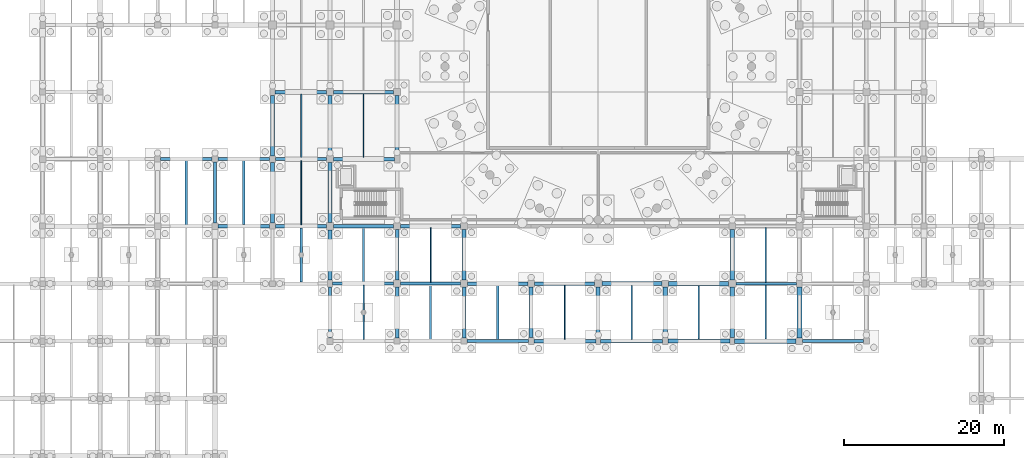
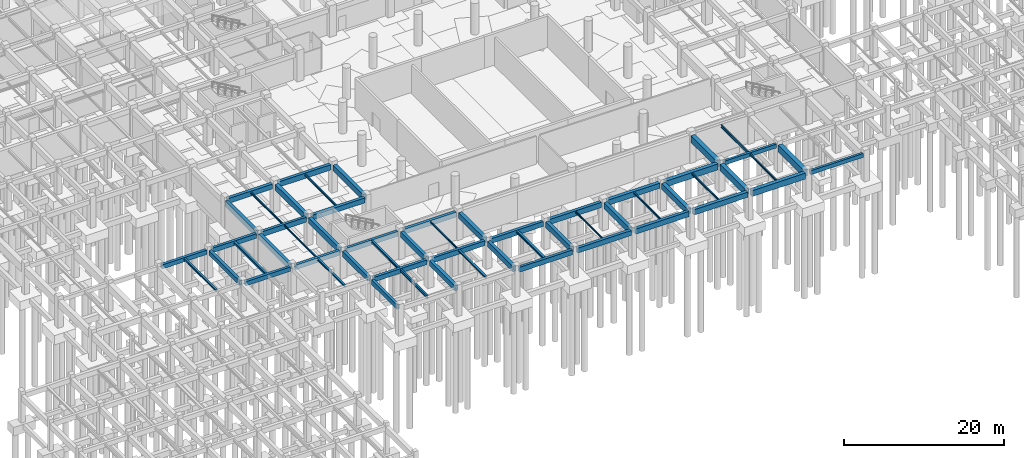
# One storey, part 20 of 44: 57 beams.
"""IFC4 building model written with IfcOpenShell, lengths in metres."""

from ifc_helpers import new_model, si_unit, direction, frame, origin, origin_2d, place, context, subcontext, project, spatial, rectangle, i_section, extrude, material, material_profile, profile_set, type_object, element, save


model = new_model("IFC4")

# Units and contexts
model_context = context("Model", 3, precision=1e-05, world=origin(), true_north=direction((0.0, 1.0)))
body_context = subcontext(model_context, "Body", "Model", "MODEL_VIEW")
ifc_project = project(units=[si_unit("LENGTHUNIT", "METRE"), si_unit("AREAUNIT", "SQUARE_METRE"), si_unit("VOLUMEUNIT", "CUBIC_METRE"), si_unit("PLANEANGLEUNIT", "RADIAN"), si_unit("MASSUNIT", "GRAM", prefix="KILO")], contexts=[model_context])

# Site, building, storey
site_placement = place(None, origin())
site = spatial("IfcSite", under=ifc_project, at=site_placement, CompositionType="ELEMENT")
building_placement = place(site_placement, origin())
building = spatial("IfcBuilding", under=site, at=building_placement, Name="Korsvaeld Concert Hall", CompositionType="ELEMENT")
storey_placement = place(building_placement, frame((0.0, 0.0, -4.800048828125)))
storey = spatial("IfcBuildingStorey", under=building, at=storey_placement, Name="B1", CompositionType="ELEMENT", Elevation=-4.800048828125)

# Beams
ifc_material_1 = material(Name="Concrete C35/45", Category="concrete")
ifc_material_profile_1 = material_profile(ifc_material_1, rectangle(XDim=0.35009765625, YDim=0.60009765625, at=origin_2d()), Name="RC 350x600")
ifc_profile_set_1 = profile_set([ifc_material_profile_1], Name="Concrete C35/45")
beam_type_1 = type_object("IfcBeamType", Name="BM-RC-350x600", PredefinedType="T_BEAM", material=ifc_profile_set_1)
beam_1_placement = place(storey_placement, frame((109.60009765625, 28.800048828125, 3.949951171875), z_axis=(1.0, 0.0, 0.0), x_axis=(0.0, 1.0, 0.0)))
element("IfcBeam", 1, at=beam_1_placement, inside=storey, type_object=beam_type_1, Name="Primary girder 15-16/E B1", PredefinedType="T_BEAM", context=body_context, shape_type="SweptSolid", body=[
    extrude(rectangle(XDim=0.35009765625, YDim=0.60009765625, at=origin_2d()), origin(), (0.0, 0.0, 1.0), 7.625),
])
beam_2_placement = place(storey_placement, frame((101.25, 36.0, 3.949951171875), z_axis=(1.0, 0.0, 0.0), x_axis=(0.0, 1.0, 0.0)))
element("IfcBeam", 2, at=beam_2_placement, inside=storey, type_object=beam_type_1, Name="Primary girder 14-15/F B1", PredefinedType="T_BEAM", context=body_context, shape_type="SweptSolid", body=[
    extrude(rectangle(XDim=0.35009765625, YDim=0.60009765625, at=origin_2d()), origin(), (0.0, 0.0, 1.0), 7.60009765625),
])
ifc_material_profile_2 = material_profile(ifc_material_1, rectangle(XDim=0.39990234375, YDim=0.64990234375, at=origin_2d()), Name="RC 400x650")
ifc_profile_set_2 = profile_set([ifc_material_profile_2], Name="Concrete C35/45")
beam_type_2 = type_object("IfcBeamType", Name="BM-RC-400x650", PredefinedType="T_BEAM", material=ifc_profile_set_2)
beam_3_placement = place(storey_placement, frame((36.39990234375, 43.199951171875, 3.925048828125), z_axis=(1.0, 0.0, 0.0), x_axis=(0.0, 1.0, 0.0)))
element("IfcBeam", 3, at=beam_3_placement, inside=storey, type_object=beam_type_2, Name="Primary girder 6-7/G B1", PredefinedType="T_BEAM", context=body_context, shape_type="SweptSolid", body=[
    extrude(rectangle(XDim=0.39990234375, YDim=0.64990234375, at=origin_2d()), origin(), (0.0, 0.0, 1.0), 6.425048828125),
])
beam_4_placement = place(storey_placement, frame((29.175048828125, 51.60009765625, 3.925048828125), z_axis=(1.0, 0.0, 0.0), x_axis=(0.0, 1.0, 0.0)))
element("IfcBeam", 4, at=beam_4_placement, inside=storey, type_object=beam_type_2, Name="Primary girder 5-6/H B1", PredefinedType="T_BEAM", context=body_context, shape_type="SweptSolid", body=[
    extrude(rectangle(XDim=0.39990234375, YDim=0.64990234375, at=origin_2d()), origin(), (0.0, 0.0, 1.0), 6.449951171875),
])
ifc_material_profile_3 = material_profile(ifc_material_1, rectangle(XDim=0.39990234375, YDim=0.699951171875, at=origin_2d()), Name="RC 400x700")
ifc_profile_set_3 = profile_set([ifc_material_profile_3], Name="Concrete C35/45")
beam_type_3 = type_object("IfcBeamType", Name="BM-RC-400x700", PredefinedType="T_BEAM", material=ifc_profile_set_3)
beam_5_placement = place(storey_placement, frame((50.699951171875, 36.0, 3.900146484375), z_axis=(1.0, 0.0, 0.0), x_axis=(0.0, 1.0, 0.0)))
element("IfcBeam", 5, at=beam_5_placement, inside=storey, type_object=beam_type_3, Name="Primary girder 8-9/F B1", PredefinedType="T_BEAM", context=body_context, shape_type="SweptSolid", body=[
    extrude(rectangle(XDim=0.39990234375, YDim=0.699951171875, at=origin_2d()), origin(), (0.0, 0.0, 1.0), 7.650146484375),
])
beam_6_placement = place(storey_placement, frame((43.574951171875, 43.199951171875, 3.900146484375), z_axis=(1.0, 0.0, 0.0), x_axis=(0.0, 1.0, 0.0)))
element("IfcBeam", 6, at=beam_6_placement, inside=storey, type_object=beam_type_3, Name="Primary girder 7-8/G B1", PredefinedType="T_BEAM", context=body_context, shape_type="SweptSolid", body=[
    extrude(rectangle(XDim=0.39990234375, YDim=0.699951171875, at=origin_2d()), origin(), (0.0, 0.0, 1.0), 6.375),
])
beam_7_placement = place(storey_placement, frame((36.375, 51.60009765625, 3.900146484375), z_axis=(1.0, 0.0, 0.0), x_axis=(0.0, 1.0, 0.0)))
element("IfcBeam", 7, at=beam_7_placement, inside=storey, type_object=beam_type_3, Name="Primary girder 6-7/H B1", PredefinedType="T_BEAM", context=body_context, shape_type="SweptSolid", body=[
    extrude(rectangle(XDim=0.39990234375, YDim=0.699951171875, at=origin_2d()), origin(), (0.0, 0.0, 1.0), 6.425048828125),
])
beam_8_placement = place(storey_placement, frame((36.0, 43.60009765625, 3.900146484375), z_axis=(0.0, 1.0, 0.0), x_axis=(-1.0, 0.0, 0.0)))
element("IfcBeam", 8, at=beam_8_placement, inside=storey, type_object=beam_type_3, Name="Primary girder 6/G-H B1", PredefinedType="T_BEAM", context=body_context, shape_type="SweptSolid", body=[
    extrude(rectangle(XDim=0.39990234375, YDim=0.699951171875, at=origin_2d()), origin(), (0.0, 0.0, 1.0), 7.625),
])
beam_9_placement = place(storey_placement, frame((50.39990234375, 29.199951171875, 3.900146484375), z_axis=(0.0, 1.0, 0.0), x_axis=(-1.0, 0.0, 0.0)))
element("IfcBeam", 9, at=beam_9_placement, inside=storey, type_object=beam_type_3, Name="Primary girder 8/E-F B1", PredefinedType="T_BEAM", context=body_context, shape_type="SweptSolid", body=[
    extrude(rectangle(XDim=0.39990234375, YDim=0.699951171875, at=origin_2d()), origin(), (0.0, 0.0, 1.0), 6.35009765625),
])
ifc_material_profile_4 = material_profile(ifc_material_1, rectangle(XDim=0.39990234375, YDim=0.75, at=origin_2d()), Name="RC 400x750")
ifc_profile_set_4 = profile_set([ifc_material_profile_4], Name="Concrete C35/45")
beam_type_4 = type_object("IfcBeamType", Name="BM-RC-400x750", PredefinedType="T_BEAM", material=ifc_profile_set_4)
beam_10_placement = place(storey_placement, frame((67.574951171875, 28.800048828125, 3.875), z_axis=(1.0, 0.0, 0.0), x_axis=(0.0, 1.0, 0.0)))
element("IfcBeam", 10, at=beam_10_placement, inside=storey, type_object=beam_type_4, Name="Primary girder 10-11/E B1", PredefinedType="T_BEAM", context=body_context, shape_type="SweptSolid", body=[
    extrude(rectangle(XDim=0.39990234375, YDim=0.75, at=origin_2d()), origin(), (0.0, 0.0, 1.0), 7.675048828125),
])
beam_11_placement = place(storey_placement, frame((59.25, 36.0, 3.875), z_axis=(1.0, 0.0, 0.0), x_axis=(0.0, 1.0, 0.0)))
element("IfcBeam", 11, at=beam_11_placement, inside=storey, type_object=beam_type_4, Name="Primary girder 9-10/F B1", PredefinedType="T_BEAM", context=body_context, shape_type="SweptSolid", body=[
    extrude(rectangle(XDim=0.39990234375, YDim=0.75, at=origin_2d()), origin(), (0.0, 0.0, 1.0), 7.5),
])
beam_12_placement = place(storey_placement, frame((50.85009765625, 43.199951171875, 3.875), z_axis=(1.0, 0.0, 0.0), x_axis=(0.0, 1.0, 0.0)))
element("IfcBeam", 12, at=beam_12_placement, inside=storey, type_object=beam_type_4, Name="Primary girder 8-9/G B1", PredefinedType="T_BEAM", context=body_context, shape_type="SweptSolid", body=[
    extrude(rectangle(XDim=0.39990234375, YDim=0.75, at=origin_2d()), origin(), (0.0, 0.0, 1.0), 7.52490234375),
])
beam_13_placement = place(storey_placement, frame((43.60009765625, 51.60009765625, 3.875), z_axis=(1.0, 0.0, 0.0), x_axis=(0.0, 1.0, 0.0)))
element("IfcBeam", 13, at=beam_13_placement, inside=storey, type_object=beam_type_4, Name="Primary girder 7-8/H B1", PredefinedType="T_BEAM", context=body_context, shape_type="SweptSolid", body=[
    extrude(rectangle(XDim=0.39990234375, YDim=0.75, at=origin_2d()), origin(), (0.0, 0.0, 1.0), 6.375),
])
ifc_material_profile_5 = material_profile(ifc_material_1, rectangle(XDim=0.449951171875, YDim=0.75, at=origin_2d()), Name="RC 450x750")
ifc_profile_set_5 = profile_set([ifc_material_profile_5], Name="Concrete C35/45")
beam_type_5 = type_object("IfcBeamType", Name="BM-RC-450x750", PredefinedType="T_BEAM", material=ifc_profile_set_5)
beam_14_placement = place(storey_placement, frame((75.949951171875, 28.800048828125, 3.875), z_axis=(1.0, 0.0, 0.0), x_axis=(0.0, 1.0, 0.0)))
element("IfcBeam", 14, at=beam_14_placement, inside=storey, type_object=beam_type_5, Name="Primary girder 11-12/E B1", PredefinedType="T_BEAM", context=body_context, shape_type="SweptSolid", body=[
    extrude(rectangle(XDim=0.449951171875, YDim=0.75, at=origin_2d()), origin(), (0.0, 0.0, 1.0), 7.75),
])
beam_15_placement = place(storey_placement, frame((67.64990234375, 36.0, 3.875), z_axis=(1.0, 0.0, 0.0), x_axis=(0.0, 1.0, 0.0)))
element("IfcBeam", 15, at=beam_15_placement, inside=storey, type_object=beam_type_5, Name="Primary girder 10-11/F B1", PredefinedType="T_BEAM", context=body_context, shape_type="SweptSolid", body=[
    extrude(rectangle(XDim=0.449951171875, YDim=0.75, at=origin_2d()), origin(), (0.0, 0.0, 1.0), 7.525146484375),
])
beam_16_placement = place(storey_placement, frame((59.22509765625, 43.199951171875, 3.875), z_axis=(1.0, 0.0, 0.0), x_axis=(0.0, 1.0, 0.0)))
element("IfcBeam", 16, at=beam_16_placement, inside=storey, type_object=beam_type_5, Name="Primary girder 9-10/G B1", PredefinedType="T_BEAM", context=body_context, shape_type="SweptSolid", body=[
    extrude(rectangle(XDim=0.449951171875, YDim=0.75, at=origin_2d()), origin(), (0.0, 0.0, 1.0), 7.5498046875),
])
beam_17_placement = place(storey_placement, frame((50.824951171875, 51.60009765625, 3.875), z_axis=(1.0, 0.0, 0.0), x_axis=(0.0, 1.0, 0.0)))
element("IfcBeam", 17, at=beam_17_placement, inside=storey, type_object=beam_type_5, Name="Primary girder 8-9/H B1", PredefinedType="T_BEAM", context=body_context, shape_type="SweptSolid", body=[
    extrude(rectangle(XDim=0.449951171875, YDim=0.75, at=origin_2d()), origin(), (0.0, 0.0, 1.0), 7.625),
])
beam_18_placement = place(storey_placement, frame((43.5, 60.0, 3.875), z_axis=(1.0, 0.0, 0.0), x_axis=(0.0, 1.0, 0.0)))
element("IfcBeam", 18, at=beam_18_placement, inside=storey, type_object=beam_type_5, Name="Primary girder 7-8/J B1", PredefinedType="T_BEAM", context=body_context, shape_type="SweptSolid", body=[
    extrude(rectangle(XDim=0.449951171875, YDim=0.75, at=origin_2d()), origin(), (0.0, 0.0, 1.0), 6.449951171875),
])
ifc_material_profile_6 = material_profile(ifc_material_1, rectangle(XDim=0.449951171875, YDim=0.800048828125, at=origin_2d()), Name="RC 450x800")
ifc_profile_set_6 = profile_set([ifc_material_profile_6], Name="Concrete C35/45")
beam_type_6 = type_object("IfcBeamType", Name="BM-RC-450x800", PredefinedType="T_BEAM", material=ifc_profile_set_6)
beam_19_placement = place(storey_placement, frame((84.300048828125, 28.800048828125, 3.85009765625), z_axis=(1.0, 0.0, 0.0), x_axis=(0.0, 1.0, 0.0)))
element("IfcBeam", 19, at=beam_19_placement, inside=storey, type_object=beam_type_6, Name="Primary girder 12-13/E B1", PredefinedType="T_BEAM", context=body_context, shape_type="SweptSolid", body=[
    extrude(rectangle(XDim=0.449951171875, YDim=0.800048828125, at=origin_2d()), origin(), (0.0, 0.0, 1.0), 7.75),
])
beam_20_placement = place(storey_placement, frame((76.02490234375, 36.0, 3.85009765625), z_axis=(1.0, 0.0, 0.0), x_axis=(0.0, 1.0, 0.0)))
element("IfcBeam", 20, at=beam_20_placement, inside=storey, type_object=beam_type_6, Name="Primary girder 11-12/F B1", PredefinedType="T_BEAM", context=body_context, shape_type="SweptSolid", body=[
    extrude(rectangle(XDim=0.449951171875, YDim=0.800048828125, at=origin_2d()), origin(), (0.0, 0.0, 1.0), 7.525146484375),
])
beam_21_placement = place(storey_placement, frame((50.85009765625, 60.0, 3.85009765625), z_axis=(1.0, 0.0, 0.0), x_axis=(0.0, 1.0, 0.0)))
element("IfcBeam", 21, at=beam_21_placement, inside=storey, type_object=beam_type_6, Name="Primary girder 8-9/J B1", PredefinedType="T_BEAM", context=body_context, shape_type="SweptSolid", body=[
    extrude(rectangle(XDim=0.449951171875, YDim=0.800048828125, at=origin_2d()), origin(), (0.0, 0.0, 1.0), 7.52490234375),
])
beam_22_placement = place(storey_placement, frame((43.199951171875, 43.574951171875, 3.85009765625), z_axis=(0.0, 1.0, 0.0), x_axis=(-1.0, 0.0, 0.0)))
element("IfcBeam", 22, at=beam_22_placement, inside=storey, type_object=beam_type_6, Name="Primary girder 7/G-H B1", PredefinedType="T_BEAM", context=body_context, shape_type="SweptSolid", body=[
    extrude(rectangle(XDim=0.449951171875, YDim=0.800048828125, at=origin_2d()), origin(), (0.0, 0.0, 1.0), 7.625),
])
beam_23_placement = place(storey_placement, frame((50.39990234375, 36.449951171875, 3.85009765625), z_axis=(0.0, 1.0, 0.0), x_axis=(-1.0, 0.0, 0.0)))
element("IfcBeam", 23, at=beam_23_placement, inside=storey, type_object=beam_type_6, Name="Primary girder 8/F-G B1", PredefinedType="T_BEAM", context=body_context, shape_type="SweptSolid", body=[
    extrude(rectangle(XDim=0.449951171875, YDim=0.800048828125, at=origin_2d()), origin(), (0.0, 0.0, 1.0), 6.300048828125),
])
beam_24_placement = place(storey_placement, frame((58.800048828125, 29.175048828125, 3.85009765625), z_axis=(0.0, 1.0, 0.0), x_axis=(-1.0, 0.0, 0.0)))
element("IfcBeam", 24, at=beam_24_placement, inside=storey, type_object=beam_type_6, Name="Primary girder 9/E-F B1", PredefinedType="T_BEAM", context=body_context, shape_type="SweptSolid", body=[
    extrude(rectangle(XDim=0.449951171875, YDim=0.800048828125, at=origin_2d()), origin(), (0.0, 0.0, 1.0), 6.375),
])
ifc_material_2 = material(Name="Concrete C40/50", Category="concrete")
ifc_material_profile_7 = material_profile(ifc_material_2, rectangle(XDim=0.449951171875, YDim=0.85009765625, at=origin_2d()), Name="RC 450x850")
ifc_profile_set_7 = profile_set([ifc_material_profile_7], Name="Concrete C40/50")
beam_type_7 = type_object("IfcBeamType", Name="BM-RC-450x850", PredefinedType="T_BEAM", material=ifc_profile_set_7)
beam_25_placement = place(storey_placement, frame((43.199951171875, 52.0, 3.824951171875), z_axis=(0.0, 1.0, 0.0), x_axis=(-1.0, 0.0, 0.0)))
element("IfcBeam", 25, at=beam_25_placement, inside=storey, type_object=beam_type_7, Name="Primary girder 7/H-J B1", PredefinedType="T_BEAM", context=body_context, shape_type="SweptSolid", body=[
    extrude(rectangle(XDim=0.449951171875, YDim=0.85009765625, at=origin_2d()), origin(), (0.0, 0.0, 1.0), 7.550048828125),
])
beam_26_placement = place(storey_placement, frame((50.39990234375, 43.64990234375, 3.824951171875), z_axis=(0.0, 1.0, 0.0), x_axis=(-1.0, 0.0, 0.0)))
element("IfcBeam", 26, at=beam_26_placement, inside=storey, type_object=beam_type_7, Name="Primary girder 8/G-H B1", PredefinedType="T_BEAM", context=body_context, shape_type="SweptSolid", body=[
    extrude(rectangle(XDim=0.449951171875, YDim=0.85009765625, at=origin_2d()), origin(), (0.0, 0.0, 1.0), 7.525146484375),
])
beam_27_placement = place(storey_placement, frame((58.800048828125, 36.449951171875, 3.824951171875), z_axis=(0.0, 1.0, 0.0), x_axis=(-1.0, 0.0, 0.0)))
element("IfcBeam", 27, at=beam_27_placement, inside=storey, type_object=beam_type_7, Name="Primary girder 9/F-G B1", PredefinedType="T_BEAM", context=body_context, shape_type="SweptSolid", body=[
    extrude(rectangle(XDim=0.449951171875, YDim=0.85009765625, at=origin_2d()), origin(), (0.0, 0.0, 1.0), 6.324951171875),
])
beam_28_placement = place(storey_placement, frame((67.199951171875, 29.175048828125, 3.824951171875), z_axis=(0.0, 1.0, 0.0), x_axis=(-1.0, 0.0, 0.0)))
element("IfcBeam", 28, at=beam_28_placement, inside=storey, type_object=beam_type_7, Name="Primary girder 10/E-F B1", PredefinedType="T_BEAM", context=body_context, shape_type="SweptSolid", body=[
    extrude(rectangle(XDim=0.449951171875, YDim=0.85009765625, at=origin_2d()), origin(), (0.0, 0.0, 1.0), 6.375),
])
ifc_material_profile_8 = material_profile(ifc_material_2, rectangle(XDim=0.5, YDim=0.800048828125, at=origin_2d()), Name="RC 500x800")
ifc_profile_set_8 = profile_set([ifc_material_profile_8], Name="Concrete C40/50")
beam_type_8 = type_object("IfcBeamType", Name="BM-RC-500x800", PredefinedType="T_BEAM", material=ifc_profile_set_8)
beam_29_placement = place(storey_placement, frame((92.75, 28.800048828125, 3.85009765625), z_axis=(1.0, 0.0, 0.0), x_axis=(0.0, 1.0, 0.0)))
element("IfcBeam", 29, at=beam_29_placement, inside=storey, type_object=beam_type_8, Name="Primary girder 13-14/E B1", PredefinedType="T_BEAM", context=body_context, shape_type="SweptSolid", body=[
    extrude(rectangle(XDim=0.5, YDim=0.800048828125, at=origin_2d()), origin(), (0.0, 0.0, 1.0), 7.75),
])
beam_30_placement = place(storey_placement, frame((84.449951171875, 36.0, 3.85009765625), z_axis=(1.0, 0.0, 0.0), x_axis=(0.0, 1.0, 0.0)))
element("IfcBeam", 30, at=beam_30_placement, inside=storey, type_object=beam_type_8, Name="Primary girder 12-13/F B1", PredefinedType="T_BEAM", context=body_context, shape_type="SweptSolid", body=[
    extrude(rectangle(XDim=0.5, YDim=0.800048828125, at=origin_2d()), origin(), (0.0, 0.0, 1.0), 7.525146484375),
])
ifc_material_profile_9 = material_profile(ifc_material_2, rectangle(XDim=0.5, YDim=0.85009765625, at=origin_2d()), Name="RC 500x850")
ifc_profile_set_9 = profile_set([ifc_material_profile_9], Name="Concrete C40/50")
beam_type_9 = type_object("IfcBeamType", Name="BM-RC-500x850", PredefinedType="T_BEAM", material=ifc_profile_set_9)
beam_31_placement = place(storey_placement, frame((50.39990234375, 52.02490234375, 3.824951171875), z_axis=(0.0, 1.0, 0.0), x_axis=(-1.0, 0.0, 0.0)))
element("IfcBeam", 31, at=beam_31_placement, inside=storey, type_object=beam_type_9, Name="Primary girder 8/H-J B1", PredefinedType="T_BEAM", context=body_context, shape_type="SweptSolid", body=[
    extrude(rectangle(XDim=0.5, YDim=0.85009765625, at=origin_2d()), origin(), (0.0, 0.0, 1.0), 7.525146484375),
])
for number, where, z_axis, x_axis, name in (
    (32, (67.199951171875, 36.449951171875, 3.824951171875), (0.0, 1.0, 0.0), (-1.0, 0.0, 0.0), "Primary girder 10/F-G B1"),
    (33, (75.60009765625, 29.25, 3.824951171875), (0.0, 1.0, 0.0), (-1.0, 0.0, 0.0), "Primary girder 11/E-F B1"),
):
    element("IfcBeam", number, at=place(storey_placement, frame(where, z_axis=z_axis, x_axis=x_axis)), inside=storey, type_object=beam_type_9, Name=name, PredefinedType="T_BEAM", context=body_context, shape_type="SweptSolid", body=[
        extrude(rectangle(XDim=0.5, YDim=0.85009765625, at=origin_2d()), origin(), (0.0, 0.0, 1.0), 6.324951171875),
    ])
ifc_material_profile_10 = material_profile(ifc_material_2, rectangle(XDim=0.5, YDim=0.89990234375, at=origin_2d()), Name="RC 500x900")
ifc_profile_set_10 = profile_set([ifc_material_profile_10], Name="Concrete C40/50")
beam_type_10 = type_object("IfcBeamType", Name="BM-RC-500x900", PredefinedType="T_BEAM", material=ifc_profile_set_10)
beam_32_placement = place(storey_placement, frame((58.800048828125, 52.10009765625, 3.800048828125), z_axis=(0.0, 1.0, 0.0), x_axis=(-1.0, 0.0, 0.0)))
element("IfcBeam", 34, at=beam_32_placement, inside=storey, type_object=beam_type_10, Name="Primary girder 9/H-J B1", PredefinedType="T_BEAM", context=body_context, shape_type="SweptSolid", body=[
    extrude(rectangle(XDim=0.5, YDim=0.89990234375, at=origin_2d()), origin(), (0.0, 0.0, 1.0), 7.474853515625),
])
beam_33_placement = place(storey_placement, frame((84.0, 29.25, 3.800048828125), z_axis=(0.0, 1.0, 0.0), x_axis=(-1.0, 0.0, 0.0)))
element("IfcBeam", 35, at=beam_33_placement, inside=storey, type_object=beam_type_10, Name="Primary girder 12/E-F B1", PredefinedType="T_BEAM", context=body_context, shape_type="SweptSolid", body=[
    extrude(rectangle(XDim=0.5, YDim=0.89990234375, at=origin_2d()), origin(), (0.0, 0.0, 1.0), 6.300048828125),
])
ifc_material_profile_11 = material_profile(ifc_material_2, rectangle(XDim=0.550048828125, YDim=0.89990234375, at=origin_2d()), Name="RC 550x900")
ifc_profile_set_11 = profile_set([ifc_material_profile_11], Name="Concrete C40/50")
beam_type_11 = type_object("IfcBeamType", Name="BM-RC-550x900", PredefinedType="T_BEAM", material=ifc_profile_set_11)
beam_34_placement = place(storey_placement, frame((101.10009765625, 28.800048828125, 3.800048828125), z_axis=(1.0, 0.0, 0.0), x_axis=(0.0, 1.0, 0.0)))
element("IfcBeam", 36, at=beam_34_placement, inside=storey, type_object=beam_type_11, Name="Primary girder 14-15/E B1", PredefinedType="T_BEAM", context=body_context, shape_type="SweptSolid", body=[
    extrude(rectangle(XDim=0.550048828125, YDim=0.89990234375, at=origin_2d()), origin(), (0.0, 0.0, 1.0), 7.699951171875),
])
beam_35_placement = place(storey_placement, frame((92.824951171875, 36.0, 3.800048828125), z_axis=(1.0, 0.0, 0.0), x_axis=(0.0, 1.0, 0.0)))
element("IfcBeam", 37, at=beam_35_placement, inside=storey, type_object=beam_type_11, Name="Primary girder 13-14/F B1", PredefinedType="T_BEAM", context=body_context, shape_type="SweptSolid", body=[
    extrude(rectangle(XDim=0.550048828125, YDim=0.89990234375, at=origin_2d()), origin(), (0.0, 0.0, 1.0), 7.525146484375),
])
ifc_material_profile_12 = material_profile(ifc_material_2, rectangle(XDim=0.550048828125, YDim=0.949951171875, at=origin_2d()), Name="RC 550x950")
ifc_profile_set_12 = profile_set([ifc_material_profile_12], Name="Concrete C40/50")
beam_type_12 = type_object("IfcBeamType", Name="BM-RC-550x950", PredefinedType="T_BEAM", material=ifc_profile_set_12)
beam_36_placement = place(storey_placement, frame((92.39990234375, 29.25, 3.775146484375), z_axis=(0.0, 1.0, 0.0), x_axis=(-1.0, 0.0, 0.0)))
element("IfcBeam", 38, at=beam_36_placement, inside=storey, type_object=beam_type_12, Name="Primary girder 13/E-F B1", PredefinedType="T_BEAM", context=body_context, shape_type="SweptSolid", body=[
    extrude(rectangle(XDim=0.550048828125, YDim=0.949951171875, at=origin_2d()), origin(), (0.0, 0.0, 1.0), 6.324951171875),
])
ifc_material_profile_13 = material_profile(ifc_material_2, rectangle(XDim=0.60009765625, YDim=1.050048828125, at=origin_2d()), Name="RC 600x1050")
ifc_profile_set_13 = profile_set([ifc_material_profile_13], Name="Concrete C40/50")
beam_type_13 = type_object("IfcBeamType", Name="BM-RC-600x1050", PredefinedType="T_BEAM", material=ifc_profile_set_13)
beam_37_placement = place(storey_placement, frame((100.800048828125, 36.449951171875, 3.72509765625), z_axis=(0.0, 1.0, 0.0), x_axis=(-1.0, 0.0, 0.0)))
element("IfcBeam", 39, at=beam_37_placement, inside=storey, type_object=beam_type_13, Name="Primary girder 14/F-G B1", PredefinedType="T_BEAM", context=body_context, shape_type="SweptSolid", body=[
    extrude(rectangle(XDim=0.60009765625, YDim=1.050048828125, at=origin_2d()), origin(), (0.0, 0.0, 1.0), 6.324951171875),
])
beam_38_placement = place(storey_placement, frame((109.199951171875, 29.199951171875, 3.72509765625), z_axis=(0.0, 1.0, 0.0), x_axis=(-1.0, 0.0, 0.0)))
element("IfcBeam", 40, at=beam_38_placement, inside=storey, type_object=beam_type_13, Name="Primary girder 15/E-F B1", PredefinedType="T_BEAM", context=body_context, shape_type="SweptSolid", body=[
    extrude(rectangle(XDim=0.60009765625, YDim=1.050048828125, at=origin_2d()), origin(), (0.0, 0.0, 1.0), 6.35009765625),
])
ifc_material_profile_14 = material_profile(ifc_material_2, rectangle(XDim=0.60009765625, YDim=0.949951171875, at=origin_2d()), Name="RC 600x950")
ifc_profile_set_14 = profile_set([ifc_material_profile_14], Name="Concrete C40/50")
beam_type_14 = type_object("IfcBeamType", Name="BM-RC-600x950", PredefinedType="T_BEAM", material=ifc_profile_set_14)
beam_39_placement = place(storey_placement, frame((100.800048828125, 29.25, 3.775146484375), z_axis=(0.0, 1.0, 0.0), x_axis=(-1.0, 0.0, 0.0)))
element("IfcBeam", 41, at=beam_39_placement, inside=storey, type_object=beam_type_14, Name="Primary girder 14/E-F B1", PredefinedType="T_BEAM", context=body_context, shape_type="SweptSolid", body=[
    extrude(rectangle(XDim=0.60009765625, YDim=0.949951171875, at=origin_2d()), origin(), (0.0, 0.0, 1.0), 6.300048828125),
])
ifc_material_3 = material(Name="Steel S355J2", Category="steel")
ifc_material_profile_15 = material_profile(ifc_material_3, i_section(OverallWidth=0.280029296875, OverallDepth=0.27001953125, WebThickness=0.008056640625, FlangeThickness=0.012939453125, FilletRadius=0.02392578125, at=origin_2d()), Name="HEA 280")
ifc_profile_set_15 = profile_set([ifc_material_profile_15], Name="Steel S355J2")
beam_type_15 = type_object("IfcBeamType", Name="BM-STL-HEA280", PredefinedType="BEAM", material=ifc_profile_set_15)
beam_40_placement = place(storey_placement, frame((32.39990234375, 43.375, 4.114990234375), z_axis=(0.0, 1.0, 0.0), x_axis=(-1.0, 0.0, 0.0)))
element("IfcBeam", 42, at=beam_40_placement, inside=storey, type_object=beam_type_15, Name="Secondary steel floor beam 5-6/G B1", PredefinedType="BEAM", context=body_context, shape_type="SweptSolid", body=[
    extrude(i_section(OverallWidth=0.280029296875, OverallDepth=0.27001953125, WebThickness=0.008056640625, FlangeThickness=0.012939453125, FilletRadius=0.02392578125, at=origin_2d()), origin(), (0.0, 0.0, 1.0), 8.02490234375),
])
for number, where, z_axis, x_axis, name in (
    (43, (46.800048828125, 36.199951171875, 4.114990234375), (0.0, 1.0, 0.0), (-1.0, 0.0, 0.0), "Secondary steel floor beam 7-8/F B1"),
    (44, (63.0, 29.0, 4.114990234375), (0.0, 1.0, 0.0), (-1.0, 0.0, 0.0), "Secondary steel floor beam 9-10/E B1"),
):
    element("IfcBeam", number, at=place(storey_placement, frame(where, z_axis=z_axis, x_axis=x_axis)), inside=storey, type_object=beam_type_15, Name=name, PredefinedType="BEAM", context=body_context, shape_type="SweptSolid", body=[
        extrude(i_section(OverallWidth=0.280029296875, OverallDepth=0.27001953125, WebThickness=0.008056640625, FlangeThickness=0.012939453125, FilletRadius=0.02392578125, at=origin_2d()), origin(), (0.0, 0.0, 1.0), 6.800048828125),
    ])
ifc_material_profile_16 = material_profile(ifc_material_3, i_section(OverallWidth=0.300048828125, OverallDepth=0.35009765625, WebThickness=0.010009765625, FlangeThickness=0.017578125, FilletRadius=0.027099609375, at=origin_2d()), Name="HEA 360")
ifc_profile_set_16 = profile_set([ifc_material_profile_16], Name="Steel S355J2")
beam_type_16 = type_object("IfcBeamType", Name="BM-STL-HEA360", PredefinedType="BEAM", material=ifc_profile_set_16)
beam_41_placement = place(storey_placement, frame((39.60009765625, 43.39990234375, 4.074951171875), z_axis=(0.0, 1.0, 0.0), x_axis=(-1.0, 0.0, 0.0)))
element("IfcBeam", 45, at=beam_41_placement, inside=storey, type_object=beam_type_16, Name="Secondary steel floor beam 6-7/G B1", PredefinedType="BEAM", context=body_context, shape_type="SweptSolid", body=[
    extrude(i_section(OverallWidth=0.300048828125, OverallDepth=0.35009765625, WebThickness=0.010009765625, FlangeThickness=0.017578125, FilletRadius=0.027099609375, at=origin_2d()), origin(), (0.0, 0.0, 1.0), 8.0),
])
beam_42_placement = place(storey_placement, frame((54.60009765625, 36.199951171875, 4.074951171875), z_axis=(0.0, 1.0, 0.0), x_axis=(-1.0, 0.0, 0.0)))
element("IfcBeam", 46, at=beam_42_placement, inside=storey, type_object=beam_type_16, Name="Secondary steel floor beam 8-9/F B1", PredefinedType="BEAM", context=body_context, shape_type="SweptSolid", body=[
    extrude(i_section(OverallWidth=0.300048828125, OverallDepth=0.35009765625, WebThickness=0.010009765625, FlangeThickness=0.017578125, FilletRadius=0.027099609375, at=origin_2d()), origin(), (0.0, 0.0, 1.0), 6.800048828125),
])
beam_43_placement = place(storey_placement, frame((71.39990234375, 29.0, 4.074951171875), z_axis=(0.0, 1.0, 0.0), x_axis=(-1.0, 0.0, 0.0)))
element("IfcBeam", 47, at=beam_43_placement, inside=storey, type_object=beam_type_16, Name="Secondary steel floor beam 10-11/E B1", PredefinedType="BEAM", context=body_context, shape_type="SweptSolid", body=[
    extrude(i_section(OverallWidth=0.300048828125, OverallDepth=0.35009765625, WebThickness=0.010009765625, FlangeThickness=0.017578125, FilletRadius=0.027099609375, at=origin_2d()), origin(), (0.0, 0.0, 1.0), 6.77490234375),
])
ifc_material_profile_17 = material_profile(ifc_material_3, i_section(OverallWidth=0.1201171875, OverallDepth=0.239990234375, WebThickness=0.006103515625, FlangeThickness=0.009765625, FilletRadius=0.014892578125, at=origin_2d()), Name="IPE 240")
ifc_profile_set_17 = profile_set([ifc_material_profile_17], Name="Steel S355J2")
beam_type_17 = type_object("IfcBeamType", Name="BM-STL-IPE240", PredefinedType="JOIST", material=ifc_profile_set_17)
beam_44_placement = place(storey_placement, frame((46.800048828125, 43.39990234375, 4.130126953125), z_axis=(0.0, 1.0, 0.0), x_axis=(-1.0, 0.0, 0.0)))
element("IfcBeam", 48, at=beam_44_placement, inside=storey, type_object=beam_type_17, Name="Secondary steel floor beam 7-8/G B1", PredefinedType="JOIST", context=body_context, shape_type="SweptSolid", body=[
    extrude(i_section(OverallWidth=0.1201171875, OverallDepth=0.239990234375, WebThickness=0.006103515625, FlangeThickness=0.009765625, FilletRadius=0.014892578125, at=origin_2d()), origin(), (0.0, 0.0, 1.0), 8.0),
])
beam_45_placement = place(storey_placement, frame((63.0, 36.199951171875, 4.130126953125), z_axis=(0.0, 1.0, 0.0), x_axis=(-1.0, 0.0, 0.0)))
element("IfcBeam", 49, at=beam_45_placement, inside=storey, type_object=beam_type_17, Name="Secondary steel floor beam 9-10/F B1", PredefinedType="JOIST", context=body_context, shape_type="SweptSolid", body=[
    extrude(i_section(OverallWidth=0.1201171875, OverallDepth=0.239990234375, WebThickness=0.006103515625, FlangeThickness=0.009765625, FilletRadius=0.014892578125, at=origin_2d()), origin(), (0.0, 0.0, 1.0), 6.775146484375),
])
beam_46_placement = place(storey_placement, frame((79.800048828125, 29.02490234375, 4.130126953125), z_axis=(0.0, 1.0, 0.0), x_axis=(-1.0, 0.0, 0.0)))
element("IfcBeam", 50, at=beam_46_placement, inside=storey, type_object=beam_type_17, Name="Secondary steel floor beam 11-12/E B1", PredefinedType="JOIST", context=body_context, shape_type="SweptSolid", body=[
    extrude(i_section(OverallWidth=0.1201171875, OverallDepth=0.239990234375, WebThickness=0.006103515625, FlangeThickness=0.009765625, FilletRadius=0.014892578125, at=origin_2d()), origin(), (0.0, 0.0, 1.0), 6.75),
])
ifc_material_profile_18 = material_profile(ifc_material_3, i_section(OverallWidth=0.135009765625, OverallDepth=0.27001953125, WebThickness=0.006591796875, FlangeThickness=0.01025390625, FilletRadius=0.014892578125, at=origin_2d()), Name="IPE 270")
ifc_profile_set_18 = profile_set([ifc_material_profile_18], Name="Steel S355J2")
beam_type_18 = type_object("IfcBeamType", Name="BM-STL-IPE270", PredefinedType="JOIST", material=ifc_profile_set_18)
beam_47_placement = place(storey_placement, frame((88.199951171875, 29.02490234375, 4.114990234375), z_axis=(0.0, 1.0, 0.0), x_axis=(-1.0, 0.0, 0.0)))
element("IfcBeam", 51, at=beam_47_placement, inside=storey, type_object=beam_type_18, Name="Secondary steel floor beam 12-13/E B1", PredefinedType="JOIST", context=body_context, shape_type="SweptSolid", body=[
    extrude(i_section(OverallWidth=0.135009765625, OverallDepth=0.27001953125, WebThickness=0.006591796875, FlangeThickness=0.01025390625, FilletRadius=0.014892578125, at=origin_2d()), origin(), (0.0, 0.0, 1.0), 6.72509765625),
])
ifc_material_profile_19 = material_profile(ifc_material_3, i_section(OverallWidth=0.14990234375, OverallDepth=0.300048828125, WebThickness=0.007080078125, FlangeThickness=0.0107421875, FilletRadius=0.014892578125, at=origin_2d()), Name="IPE 300")
ifc_profile_set_19 = profile_set([ifc_material_profile_19], Name="Steel S355J2")
beam_type_19 = type_object("IfcBeamType", Name="BM-STL-IPE300", PredefinedType="JOIST", material=ifc_profile_set_19)
beam_48_placement = place(storey_placement, frame((46.800048828125, 51.800048828125, 4.10009765625), z_axis=(0.0, 1.0, 0.0), x_axis=(-1.0, 0.0, 0.0)))
element("IfcBeam", 52, at=beam_48_placement, inside=storey, type_object=beam_type_19, Name="Secondary steel floor beam 7-8/H B1", PredefinedType="JOIST", context=body_context, shape_type="SweptSolid", body=[
    extrude(i_section(OverallWidth=0.14990234375, OverallDepth=0.300048828125, WebThickness=0.007080078125, FlangeThickness=0.0107421875, FilletRadius=0.014892578125, at=origin_2d()), origin(), (0.0, 0.0, 1.0), 7.974853515625),
])
beam_49_placement = place(storey_placement, frame((96.60009765625, 29.050048828125, 4.10009765625), z_axis=(0.0, 1.0, 0.0), x_axis=(-1.0, 0.0, 0.0)))
element("IfcBeam", 53, at=beam_49_placement, inside=storey, type_object=beam_type_19, Name="Secondary steel floor beam 13-14/E B1", PredefinedType="JOIST", context=body_context, shape_type="SweptSolid", body=[
    extrude(i_section(OverallWidth=0.14990234375, OverallDepth=0.300048828125, WebThickness=0.007080078125, FlangeThickness=0.0107421875, FilletRadius=0.014892578125, at=origin_2d()), origin(), (0.0, 0.0, 1.0), 6.675048828125),
])
ifc_material_profile_20 = material_profile(ifc_material_3, i_section(OverallWidth=0.159912109375, OverallDepth=0.330078125, WebThickness=0.007568359375, FlangeThickness=0.011474609375, FilletRadius=0.01806640625, at=origin_2d()), Name="IPE 330")
ifc_profile_set_20 = profile_set([ifc_material_profile_20], Name="Steel S355J2")
beam_type_20 = type_object("IfcBeamType", Name="BM-STL-IPE330", PredefinedType="BEAM", material=ifc_profile_set_20)
beam_50_placement = place(storey_placement, frame((54.60009765625, 51.824951171875, 4.0849609375), z_axis=(0.0, 1.0, 0.0), x_axis=(-1.0, 0.0, 0.0)))
element("IfcBeam", 54, at=beam_50_placement, inside=storey, type_object=beam_type_20, Name="Secondary steel floor beam 8-9/H B1", PredefinedType="BEAM", context=body_context, shape_type="SweptSolid", body=[
    extrude(i_section(OverallWidth=0.159912109375, OverallDepth=0.330078125, WebThickness=0.007568359375, FlangeThickness=0.011474609375, FilletRadius=0.01806640625, at=origin_2d()), origin(), (0.0, 0.0, 1.0), 7.949951171875),
])
beam_51_placement = place(storey_placement, frame((105.0, 29.074951171875, 4.0849609375), z_axis=(0.0, 1.0, 0.0), x_axis=(-1.0, 0.0, 0.0)))
element("IfcBeam", 55, at=beam_51_placement, inside=storey, type_object=beam_type_20, Name="Secondary steel floor beam 14-15/E B1", PredefinedType="BEAM", context=body_context, shape_type="SweptSolid", body=[
    extrude(i_section(OverallWidth=0.159912109375, OverallDepth=0.330078125, WebThickness=0.007568359375, FlangeThickness=0.011474609375, FilletRadius=0.01806640625, at=origin_2d()), origin(), (0.0, 0.0, 1.0), 6.75),
])
ifc_material_profile_21 = material_profile(ifc_material_3, i_section(OverallWidth=0.179931640625, OverallDepth=0.39990234375, WebThickness=0.008544921875, FlangeThickness=0.013427734375, FilletRadius=0.02099609375, at=origin_2d()), Name="IPE 400")
ifc_profile_set_21 = profile_set([ifc_material_profile_21], Name="Steel S355J2")
beam_type_21 = type_object("IfcBeamType", Name="BM-STL-IPE400", PredefinedType="BEAM", material=ifc_profile_set_21)
beam_52_placement = place(storey_placement, frame((105.0, 36.175048828125, 4.050048828125), z_axis=(0.0, 1.0, 0.0), x_axis=(-1.0, 0.0, 0.0)))
element("IfcBeam", 56, at=beam_52_placement, inside=storey, type_object=beam_type_21, Name="Secondary steel floor beam 14-15/F B1", PredefinedType="BEAM", context=body_context, shape_type="SweptSolid", body=[
    extrude(i_section(OverallWidth=0.179931640625, OverallDepth=0.39990234375, WebThickness=0.008544921875, FlangeThickness=0.013427734375, FilletRadius=0.02099609375, at=origin_2d()), origin(), (0.0, 0.0, 1.0), 6.849853515625),
])
ifc_material_profile_22 = material_profile(ifc_material_3, i_section(OverallWidth=0.18994140625, OverallDepth=0.449951171875, WebThickness=0.009521484375, FlangeThickness=0.0146484375, FilletRadius=0.02099609375, at=origin_2d()), Name="IPE 450")
ifc_profile_set_22 = profile_set([ifc_material_profile_22], Name="Steel S355J2")
beam_type_22 = type_object("IfcBeamType", Name="BM-STL-IPE450", PredefinedType="BEAM", material=ifc_profile_set_22)
beam_53_placement = place(storey_placement, frame((54.60009765625, 29.0, 4.025146484375), z_axis=(0.0, 1.0, 0.0), x_axis=(-1.0, 0.0, 0.0)))
element("IfcBeam", 57, at=beam_53_placement, inside=storey, type_object=beam_type_22, Name="Secondary steel floor beam 8-9/E B1", PredefinedType="BEAM", context=body_context, shape_type="SweptSolid", body=[
    extrude(i_section(OverallWidth=0.18994140625, OverallDepth=0.449951171875, WebThickness=0.009521484375, FlangeThickness=0.0146484375, FilletRadius=0.02099609375, at=origin_2d()), origin(), (0.0, 0.0, 1.0), 6.800048828125),
])

save(model, "model.ifc")
